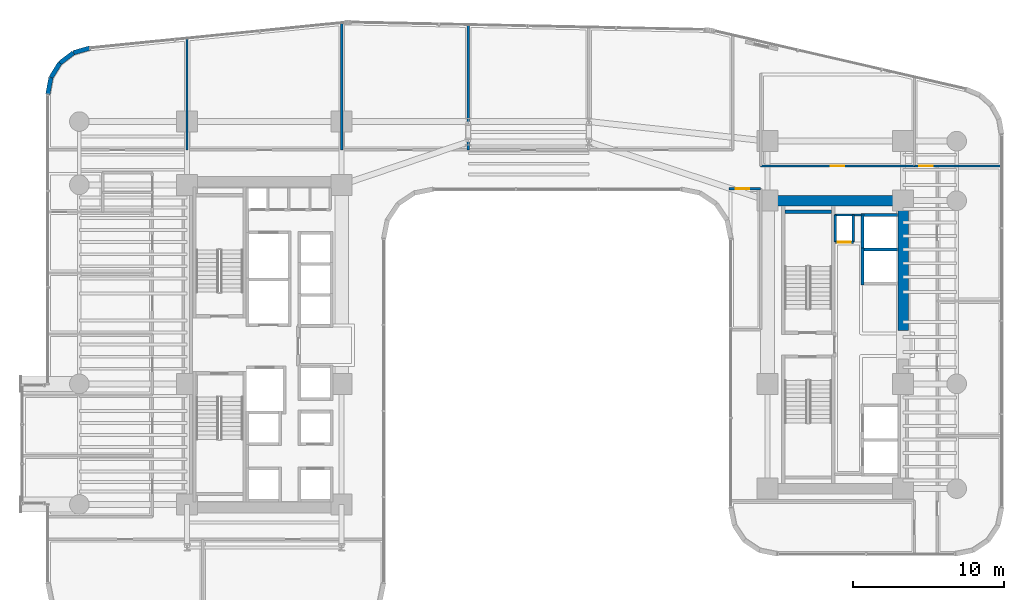
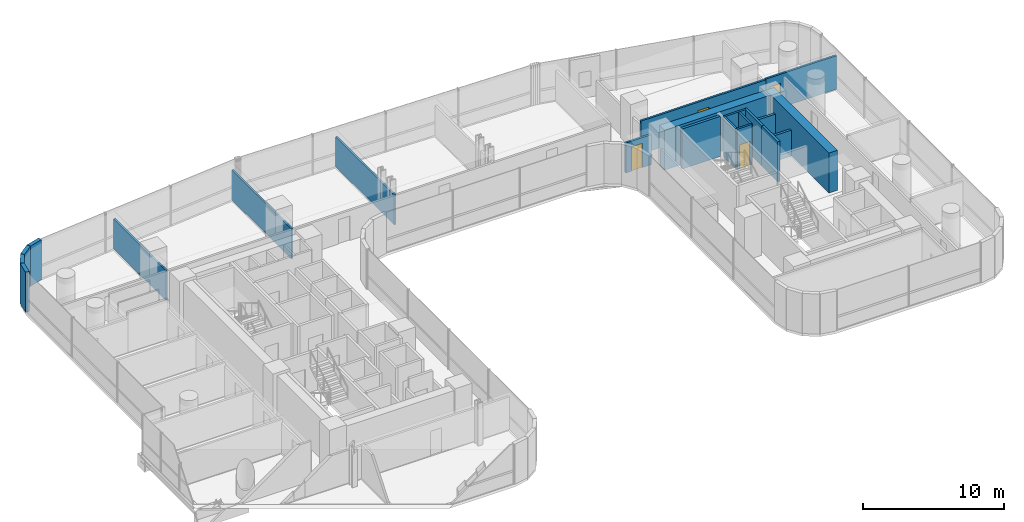
# One storey, part 33 of 39: 21 walls, 4 doors, 4 openings.
"""IFC4 building model written with IfcOpenShell, lengths in metres."""

from ifc_helpers import new_model, si_unit, direction, frame, frame_2d, origin, place, context, subcontext, project, spatial, rectangle, extrude, material, layer, layer_set, type_object, element, fill, save


model = new_model("IFC4")

# Units and contexts
model_context = context("Model", 3, precision=1e-05, world=origin(), true_north=direction((0.0, 1.0)))
body_context = subcontext(model_context, "Body", "Model", "MODEL_VIEW")
ifc_project = project(units=[si_unit("LENGTHUNIT", "METRE"), si_unit("AREAUNIT", "SQUARE_METRE"), si_unit("VOLUMEUNIT", "CUBIC_METRE"), si_unit("PLANEANGLEUNIT", "RADIAN"), si_unit("MASSUNIT", "GRAM", prefix="KILO")], contexts=[model_context])

# Site, building, storey
site_placement = place(None, origin())
site = spatial("IfcSite", under=ifc_project, at=site_placement, CompositionType="ELEMENT")
building_placement = place(site_placement, origin())
building = spatial("IfcBuilding", under=site, at=building_placement, Name="Valdorenza Pilgrim Sanctuary Tower", CompositionType="ELEMENT")
storey_placement = place(building_placement, frame((0.0, 0.0, 33.39990234375)))
storey = spatial("IfcBuildingStorey", under=building, at=storey_placement, Name="L07", CompositionType="ELEMENT", Elevation=33.39990234375)

# Wall, opening, door
ifc_material_1 = material(Name="Acoustic twin-stud gypsum partition", Category="gypsum")
ifc_layer_1 = layer(ifc_material_1, 0.159912109375, Name="Acoustic twin-stud gypsum partition")
ifc_layer_set_1 = layer_set([ifc_layer_1], Name="Acoustic twin-stud gypsum partition")
wall_type_1 = type_object("IfcWallType", Name="WAL-COR-160", PredefinedType="PARTITIONING", material=ifc_layer_set_1)
wall_1_placement = place(storey_placement, frame((20.35009765625, 6.800048828125, 0.0), z_axis=(0.0, 0.0, 1.0), x_axis=(1.0, 0.0, 0.0)))
wall_1 = element("IfcWall", 1, at=wall_1_placement, inside=storey, type_object=wall_type_1, Name="L07 Core B Riser South Wall", PredefinedType="PARTITIONING", context=body_context, shape_type="SweptSolid", body=[
    extrude(rectangle(XDim=1.199951171875, YDim=0.159912109375, at=frame_2d((0.60009765625, 0.0))), origin(), (0.0, 0.0, 1.0), 3.460205078125),
])
opening_1_placement = place(wall_1_placement, frame((0.175048828125, 0.0, 0.0)))
opening_1 = element("IfcOpeningElement", 2, at=opening_1_placement, cuts=wall_1, Name="Opening DR-RS1", PredefinedType="OPENING", context=body_context, shape_type="SweptSolid", body=[
    extrude(rectangle(XDim=0.85009765625, YDim=2.050048828125, at=frame_2d((0.425048828125, 1.02490234375))), frame((0.0, 0.0947265625, 0.0), z_axis=(0.0, -1.0, 0.0), x_axis=(1.0, 0.0, 0.0)), (0.0, 0.0, 1.0), 0.189697265625),
])
ifc_material_2 = material(Name="Painted galvanized steel", Category="steel")
door_type_1 = type_object("IfcDoorType", Name="DR-RSR-850", OperationType="NOTDEFINED", PredefinedType="DOOR", material=ifc_material_2)
door_1_placement = place(opening_1_placement, origin())
door_1 = element("IfcDoor", 3, at=door_1_placement, inside=storey, type_object=door_type_1, Name="L07 Core B Electrical Riser Door", OperationType="SINGLE_SWING_RIGHT", OverallHeight=2.050048828125, OverallWidth=0.85009765625, PredefinedType="DOOR", context=body_context, shape_type="SweptSolid", body=[
    extrude(rectangle(XDim=0.85009765625, YDim=2.050048828125, at=frame_2d((0.425048828125, 1.02490234375))), frame((0.0, 0.02490234375, 0.0), z_axis=(0.0, -1.0, 0.0), x_axis=(1.0, 0.0, 0.0)), (0.0, 0.0, 1.0), 0.050048828125),
])
fill(opening_1, door_1)

# Walls
for number, where, z_axis, x_axis, name in (
    (4, (21.550048828125, 6.800048828125, 0.0), (0.0, 0.0, 1.0), (0.0, 1.0, 0.0), "L07 Core B Riser East Wall"),
    (5, (20.35009765625, 6.800048828125, 0.0), (0.0, 0.0, 1.0), (0.0, 1.0, 0.0), "L07 Core B Riser West Wall"),
):
    element("IfcWall", number, at=place(storey_placement, frame(where, z_axis=z_axis, x_axis=x_axis)), inside=storey, type_object=wall_type_1, Name=name, PredefinedType="PARTITIONING", context=body_context, shape_type="SweptSolid", body=[
        extrude(rectangle(XDim=1.800048828125, YDim=0.159912109375, at=frame_2d((0.89990234375, 0.0))), origin(), (0.0, 0.0, 1.0), 3.460205078125),
    ])
wall_2_placement = place(storey_placement, frame((20.300048828125, 8.60009765625, 0.0), z_axis=(0.0, 0.0, 1.0), x_axis=(1.0, 0.0, 0.0)))
element("IfcWall", 6, at=wall_2_placement, inside=storey, type_object=wall_type_1, Name="L07 Core B Lift Hall North End Wall", PredefinedType="PARTITIONING", context=body_context, shape_type="SweptSolid", body=[
    extrude(rectangle(XDim=1.820068359375, YDim=0.159912109375, at=frame_2d((0.91015625, 0.0))), origin(), (0.0, 0.0, 1.0), 3.460205078125),
])

# Wall, opening, door
wall_3_placement = place(storey_placement, frame((15.39990234375, 11.85009765625, 0.0), z_axis=(0.0, 0.0, 1.0), x_axis=(1.0, 0.0, 0.0)))
wall_3 = element("IfcWall", 7, at=wall_3_placement, inside=storey, type_object=wall_type_1, Name="L07 Wing B North Corridor Wall", PredefinedType="PARTITIONING", context=body_context, shape_type="SweptSolid", body=[
    extrude(rectangle(XDim=10.2001953125, YDim=0.159912109375, at=frame_2d((5.10009765625, 0.0))), origin(), (0.0, 0.0, 1.0), 2.833984375),
])
opening_2_placement = place(wall_3_placement, frame((4.64990234375, 0.0, 0.0)))
opening_2 = element("IfcOpeningElement", 8, at=opening_2_placement, cuts=wall_3, Name="Opening DR-RM1", PredefinedType="OPENING", context=body_context, shape_type="SweptSolid", body=[
    extrude(rectangle(XDim=0.89990234375, YDim=2.10009765625, at=frame_2d((0.449951171875, 1.050048828125))), frame((0.0, 0.0947265625, 0.0), z_axis=(0.0, -1.0, 0.0), x_axis=(1.0, 0.0, 0.0)), (0.0, 0.0, 1.0), 0.189697265625),
])
ifc_material_3 = material(Name="Solid-core European oak timber", Category="wood")
door_type_2 = type_object("IfcDoorType", Name="DR-ROOM-900", OperationType="NOTDEFINED", PredefinedType="DOOR", material=ifc_material_3)
door_2_placement = place(opening_2_placement, origin())
door_2 = element("IfcDoor", 9, at=door_2_placement, inside=storey, type_object=door_type_2, Name="L07 Curator Research Office L07-BN1 Door", OperationType="SINGLE_SWING_RIGHT", OverallHeight=2.10009765625, OverallWidth=0.89990234375, PredefinedType="DOOR", context=body_context, shape_type="SweptSolid", body=[
    extrude(rectangle(XDim=0.89990234375, YDim=2.10009765625, at=frame_2d((0.449951171875, 1.050048828125))), frame((0.0, 0.02490234375, 0.0), z_axis=(0.0, -1.0, 0.0), x_axis=(1.0, 0.0, 0.0)), (0.0, 0.0, 1.0), 0.050048828125),
])
fill(opening_2, door_2)

wall_4_placement = place(storey_placement, frame((25.60009765625, 11.85009765625, 0.0), z_axis=(0.0, 0.0, 1.0), x_axis=(1.0, 0.0, 0.0)))
wall_4 = element("IfcWall", 10, at=wall_4_placement, inside=storey, type_object=wall_type_1, Name="L07 East Wing NE Corner South Wall", PredefinedType="PARTITIONING", context=body_context, shape_type="SweptSolid", body=[
    extrude(rectangle(XDim=5.789794921875, YDim=0.159912109375, at=frame_2d((2.89501953125, 0.0))), origin(), (0.0, 0.0, 1.0), 2.89599609375),
])
opening_3_placement = place(wall_4_placement, frame((0.300048828125, 0.0, 0.0)))
opening_3 = element("IfcOpeningElement", 11, at=opening_3_placement, cuts=wall_4, Name="Opening DR-RM1", PredefinedType="OPENING", context=body_context, shape_type="SweptSolid", body=[
    extrude(rectangle(XDim=0.89990234375, YDim=2.10009765625, at=frame_2d((0.449951171875, 1.050048828125))), frame((0.0, 0.0947265625, 0.0), z_axis=(0.0, -1.0, 0.0), x_axis=(1.0, 0.0, 0.0)), (0.0, 0.0, 1.0), 0.189697265625),
])
door_3_placement = place(opening_3_placement, origin())
door_3 = element("IfcDoor", 12, at=door_3_placement, inside=storey, type_object=door_type_2, Name="L07 East North Alcove Office L07 Door", OperationType="SINGLE_SWING_RIGHT", OverallHeight=2.10009765625, OverallWidth=0.89990234375, PredefinedType="DOOR", context=body_context, shape_type="SweptSolid", body=[
    extrude(rectangle(XDim=0.89990234375, YDim=2.10009765625, at=frame_2d((0.449951171875, 1.050048828125))), frame((0.0, 0.02490234375, 0.0), z_axis=(0.0, -1.0, 0.0), x_axis=(1.0, 0.0, 0.0)), (0.0, 0.0, 1.0), 0.050048828125),
])
fill(opening_3, door_3)

wall_5_placement = place(storey_placement, frame((13.300048828125, 10.35009765625, 0.0), z_axis=(0.0, 0.0, 1.0), x_axis=(1.0, 0.0, 0.0)))
wall_5 = element("IfcWall", 13, at=wall_5_placement, inside=storey, type_object=wall_type_1, Name="L07 Courtyard Overlook North Wall", PredefinedType="PARTITIONING", context=body_context, shape_type="SweptSolid", body=[
    extrude(rectangle(XDim=2.099853515625, YDim=0.159912109375, at=frame_2d((1.0498046875, 0.0))), origin(), (0.0, 0.0, 1.0), 2.5830078125),
])
opening_4_placement = place(wall_5_placement, frame((0.449951171875, 0.0, 0.0)))
opening_4 = element("IfcOpeningElement", 14, at=opening_4_placement, cuts=wall_5, Name="Opening DR-RM1", PredefinedType="OPENING", context=body_context, shape_type="SweptSolid", body=[
    extrude(rectangle(XDim=0.89990234375, YDim=2.10009765625, at=frame_2d((0.449951171875, 1.050048828125))), frame((0.0, 0.0947265625, 0.0), z_axis=(0.0, -1.0, 0.0), x_axis=(1.0, 0.0, 0.0)), (0.0, 0.0, 1.0), 0.189697265625),
])
door_4_placement = place(opening_4_placement, origin())
door_4 = element("IfcDoor", 15, at=door_4_placement, inside=storey, type_object=door_type_2, Name="L07 Courtyard Overlook Salon Door", OperationType="SINGLE_SWING_RIGHT", OverallHeight=2.10009765625, OverallWidth=0.89990234375, PredefinedType="DOOR", context=body_context, shape_type="SweptSolid", body=[
    extrude(rectangle(XDim=0.89990234375, YDim=2.10009765625, at=frame_2d((0.449951171875, 1.050048828125))), frame((0.0, 0.02490234375, 0.0), z_axis=(0.0, -1.0, 0.0), x_axis=(1.0, 0.0, 0.0)), (0.0, 0.0, 1.0), 0.050048828125),
])
fill(opening_4, door_4)

# Walls
ifc_material_4 = material(Name="Concrete C60/75", Category="concrete")
ifc_layer_2 = layer(ifc_material_4, 0.699951171875, Name="Concrete C60/75")
ifc_layer_set_2 = layer_set([ifc_layer_2], Name="Concrete C60/75")
wall_type_2 = type_object("IfcWallType", Name="WAL-COR-700", PredefinedType="SHEAR", material=ifc_layer_set_2)
wall_6_placement = place(storey_placement, frame((24.85009765625, 0.949951171875, 0.0), z_axis=(0.0, 0.0, 1.0), x_axis=(0.0, 1.0, 0.0)))
element("IfcWall", 16, at=wall_6_placement, inside=storey, type_object=wall_type_2, Name="L07 Split Core B Shear Wall EN", PredefinedType="SHEAR", context=body_context, shape_type="SweptSolid", body=[
    extrude(rectangle(XDim=8.949951171875, YDim=0.699951171875, at=frame_2d((4.47509765625, 0.0))), origin(), (0.0, 0.0, 1.0), 3.460205078125),
])
wall_7_placement = place(storey_placement, frame((15.85009765625, 9.550048828125, 0.0), z_axis=(0.0, 0.0, 1.0), x_axis=(1.0, 0.0, 0.0)))
element("IfcWall", 17, at=wall_7_placement, inside=storey, type_object=wall_type_2, Name="L07 Split Core B Shear Wall N", PredefinedType="SHEAR", context=body_context, shape_type="SweptSolid", body=[
    extrude(rectangle(XDim=9.0, YDim=0.699951171875, at=frame_2d((4.5, 0.0))), origin(), (0.0, 0.0, 1.0), 3.460205078125),
])
ifc_material_5 = material(Name="Honed travertine limestone", Category="masonry")
ifc_layer_3 = layer(ifc_material_5, 0.300048828125, Name="Honed travertine limestone")
ifc_layer_set_3 = layer_set([ifc_layer_3], Name="Honed travertine limestone")
wall_type_3 = type_object("IfcWallType", Name="WAL-EXT-300", PredefinedType="SOLIDWALL", material=ifc_layer_set_3)
wall_8_placement = place(storey_placement, frame((-31.889892578125, 16.593994140625, 0.0), z_axis=(0.0, 0.0, 1.0), x_axis=(0.182748995683, 0.9831596028, 0.0)))
element("IfcWall", 18, at=wall_8_placement, inside=storey, type_object=wall_type_3, Name="L07 Rounded Wind-Corner Stone Pier 2", PredefinedType="SOLIDWALL", context=body_context, shape_type="SweptSolid", body=[
    extrude(rectangle(XDim=1.1396484375, YDim=0.300048828125, at=frame_2d((0.56982421875, 0.0))), origin(), (0.0, 0.0, 1.0), 3.460205078125),
])
wall_9_placement = place(storey_placement, frame((-31.681640625, 17.71435546875, 0.0), z_axis=(0.0, 0.0, 1.0), x_axis=(0.524157723014, 0.8516212077, 0.0)))
element("IfcWall", 19, at=wall_9_placement, inside=storey, type_object=wall_type_3, Name="L07 Rounded Wind-Corner Stone Pier 3", PredefinedType="SOLIDWALL", context=body_context, shape_type="SweptSolid", body=[
    extrude(rectangle(XDim=1.12939453125, YDim=0.300048828125, at=frame_2d((0.564697265625, 0.0))), origin(), (0.0, 0.0, 1.0), 3.460205078125),
])
wall_10_placement = place(storey_placement, frame((-31.089599609375, 18.67626953125, 0.0), z_axis=(0.0, 0.0, 1.0), x_axis=(0.795253002434, 0.606277710393, 0.0)))
element("IfcWall", 20, at=wall_10_placement, inside=storey, type_object=wall_type_3, Name="L07 Rounded Wind-Corner Stone Pier 4", PredefinedType="SOLIDWALL", context=body_context, shape_type="SweptSolid", body=[
    extrude(rectangle(XDim=1.129150390625, YDim=0.300048828125, at=frame_2d((0.564453125, 0.0))), origin(), (0.0, 0.0, 1.0), 3.460205078125),
])
wall_11_placement = place(storey_placement, frame((-30.191650390625, 19.36083984375, 0.0), z_axis=(0.0, 0.0, 1.0), x_axis=(0.960071941549, 0.279753225271, 0.0)))
element("IfcWall", 21, at=wall_11_placement, inside=storey, type_object=wall_type_3, Name="L07 Rounded Wind-Corner Stone Pier 5", PredefinedType="SOLIDWALL", context=body_context, shape_type="SweptSolid", body=[
    extrude(rectangle(XDim=1.1396484375, YDim=0.300048828125, at=frame_2d((0.56982421875, 0.0))), origin(), (0.0, 0.0, 1.0), 3.460205078125),
])
ifc_material_6 = material(Name="Autoclaved aerated concrete blockwork", Category="masonry")
ifc_layer_4 = layer(ifc_material_6, 0.199951171875, Name="Autoclaved aerated concrete blockwork")
ifc_layer_set_4 = layer_set([ifc_layer_4], Name="Autoclaved aerated concrete blockwork")
wall_type_4 = type_object("IfcWallType", Name="WAL-SHF-200", PredefinedType="MOVABLE", material=ifc_layer_set_4)
wall_12_placement = place(storey_placement, frame((22.14990234375, 3.949951171875, 0.0), z_axis=(0.0, 0.0, 1.0), x_axis=(0.0, 1.0, 0.0)))
element("IfcWall", 22, at=wall_12_placement, inside=storey, type_object=wall_type_4, Name="L07 Lift PL-07 Hoistway Wall West", PredefinedType="MOVABLE", context=body_context, shape_type="SweptSolid", body=[
    extrude(rectangle(XDim=2.47509765625, YDim=0.199951171875, at=frame_2d((1.237548828125, 0.0))), origin(), (0.0, 0.0, 1.0), 3.460205078125),
])
wall_13_placement = place(storey_placement, frame((22.25, 6.324951171875, 0.0), z_axis=(0.0, 0.0, 1.0), x_axis=(1.0, 0.0, 0.0)))
element("IfcWall", 23, at=wall_13_placement, inside=storey, type_object=wall_type_4, Name="L07 Lift PL-07 Hoistway Wall North", PredefinedType="MOVABLE", context=body_context, shape_type="SweptSolid", body=[
    extrude(rectangle(XDim=2.22998046875, YDim=0.199951171875, at=frame_2d((1.114990234375, 0.0))), origin(), (0.0, 0.0, 1.0), 2.2451171875),
])
wall_14_placement = place(storey_placement, frame((22.14990234375, 6.22509765625, 0.0), z_axis=(0.0, 0.0, 1.0), x_axis=(0.0, 1.0, 0.0)))
element("IfcWall", 24, at=wall_14_placement, inside=storey, type_object=wall_type_4, Name="L07 Lift PL-08 Hoistway Wall West", PredefinedType="MOVABLE", context=body_context, shape_type="SweptSolid", body=[
    extrude(rectangle(XDim=2.474853515625, YDim=0.199951171875, at=frame_2d((1.2373046875, 0.0))), origin(), (0.0, 0.0, 1.0), 3.460205078125),
])
wall_15_placement = place(storey_placement, frame((22.25, 8.60009765625, 0.0), z_axis=(0.0, 0.0, 1.0), x_axis=(1.0, 0.0, 0.0)))
element("IfcWall", 25, at=wall_15_placement, inside=storey, type_object=wall_type_4, Name="L07 Lift PL-08 Hoistway Wall North", PredefinedType="MOVABLE", context=body_context, shape_type="SweptSolid", body=[
    extrude(rectangle(XDim=2.22998046875, YDim=0.199951171875, at=frame_2d((1.114990234375, 0.0))), origin(), (0.0, 0.0, 1.0), 2.2451171875),
])
ifc_material_7 = material(Name="Concrete C40/50", Category="concrete")
ifc_layer_5 = layer(ifc_material_7, 0.219970703125, Name="Concrete C40/50")
ifc_layer_set_5 = layer_set([ifc_layer_5], Name="Concrete C40/50")
wall_type_5 = type_object("IfcWallType", Name="WAL-STR-SHF-220", PredefinedType="SHEAR", material=ifc_layer_set_5)
wall_16_placement = place(storey_placement, frame((17.0, 8.81005859375, 0.0), z_axis=(0.0, 0.0, 1.0), x_axis=(1.0, 0.0, 0.0)))
element("IfcWall", 26, at=wall_16_placement, inside=storey, type_object=wall_type_5, Name="L07 ST-B1 Structural Stairwell Wall N", PredefinedType="SHEAR", context=body_context, shape_type="SweptSolid", body=[
    extrude(rectangle(XDim=3.110107421875, YDim=0.219970703125, at=frame_2d((1.55517578125, 0.0))), origin(), (0.0, 0.0, 1.0), 3.460205078125),
])
ifc_layer_6 = layer(ifc_material_1, 0.14990234375, Name="Acoustic twin-stud gypsum partition")
ifc_layer_set_6 = layer_set([ifc_layer_6], Name="Acoustic twin-stud gypsum partition")
wall_type_6 = type_object("IfcWallType", Name="WAL-UNT-150", PredefinedType="PARTITIONING", material=ifc_layer_set_6)
wall_17_placement = place(storey_placement, frame((-22.64990234375, 12.919921875, 0.0), z_axis=(0.0, 0.0, 1.0), x_axis=(0.0, 1.0, 0.0)))
element("IfcWall", 27, at=wall_17_placement, inside=storey, type_object=wall_type_6, Name="L07 North Grid Office Wall 1", PredefinedType="PARTITIONING", context=body_context, shape_type="SweptSolid", body=[
    extrude(rectangle(XDim=7.404541015625, YDim=0.14990234375, at=frame_2d((3.7021484375, 0.0))), origin(), (0.0, 0.0, 1.0), 2.5830078125),
])
wall_18_placement = place(storey_placement, frame((-12.39990234375, 12.919921875, 0.0), z_axis=(0.0, 0.0, 1.0), x_axis=(0.0, 1.0, 0.0)))
element("IfcWall", 28, at=wall_18_placement, inside=storey, type_object=wall_type_6, Name="L07 North Grid Office Wall 2", PredefinedType="PARTITIONING", context=body_context, shape_type="SweptSolid", body=[
    extrude(rectangle(XDim=8.4296875, YDim=0.14990234375, at=frame_2d((4.21484375, 0.0))), origin(), (0.0, 0.0, 1.0), 2.5830078125),
])
wall_19_placement = place(storey_placement, frame((-4.0, 12.919921875, 0.0), z_axis=(0.0, 0.0, 1.0), x_axis=(0.0, 1.0, 0.0)))
element("IfcWall", 29, at=wall_19_placement, inside=storey, type_object=wall_type_6, Name="L07 North Grid Office Wall 3", PredefinedType="PARTITIONING", context=body_context, shape_type="SweptSolid", body=[
    extrude(rectangle(XDim=8.303466796875, YDim=0.14990234375, at=frame_2d((4.15185546875, 0.0))), origin(), (0.0, 0.0, 1.0), 2.5830078125),
])

save(model, "model.ifc")
